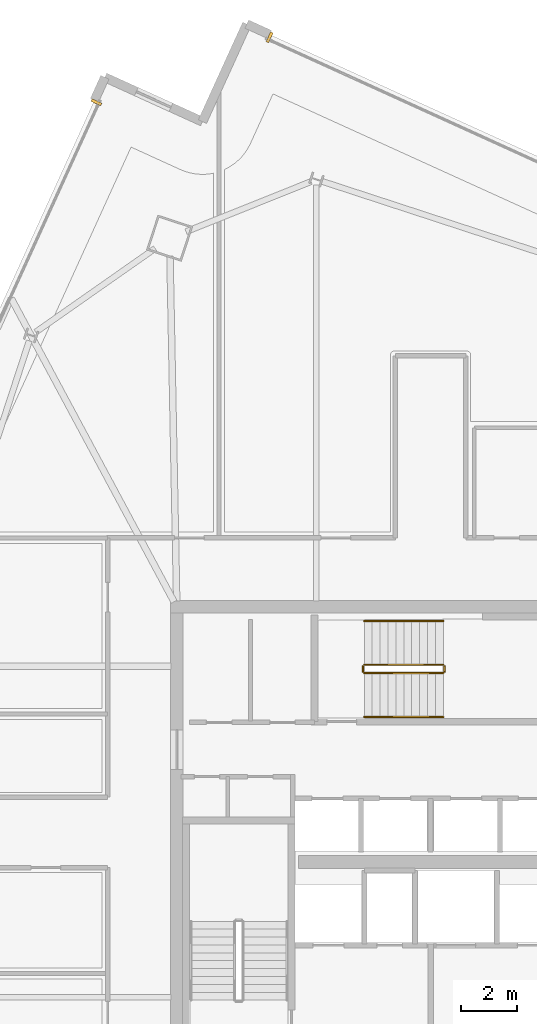
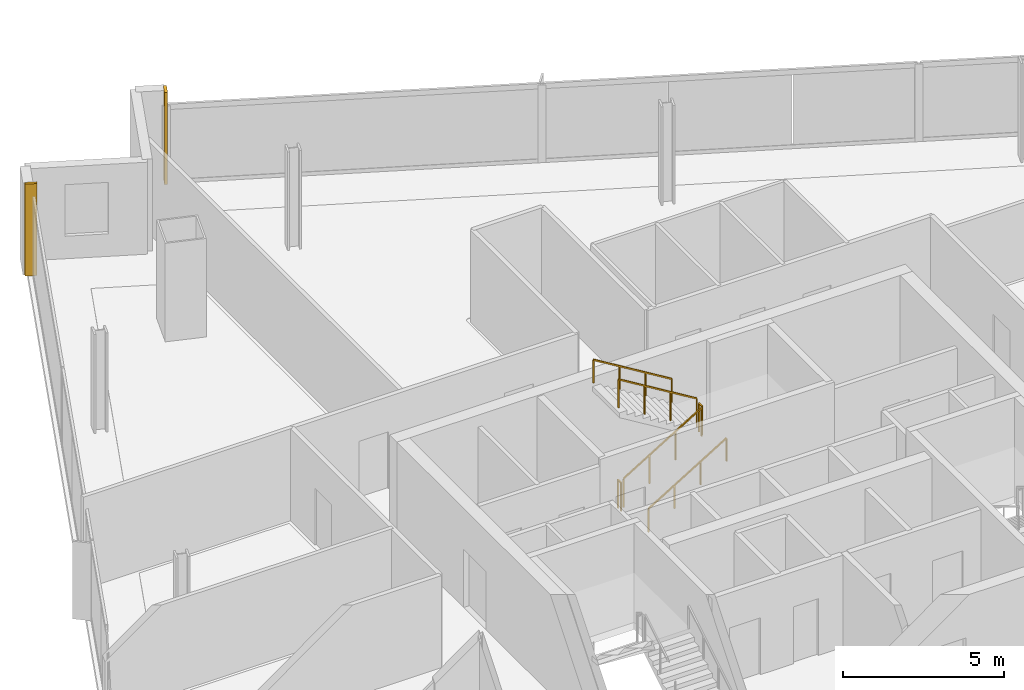
# One storey, part 25 of 26: 6 railings, 2 coverings.
"""IFC4 building model written with IfcOpenShell, lengths in metres."""

from ifc_helpers import new_model, si_unit, direction, frame, origin, origin_2d, place, context, subcontext, project, spatial, rectangle, extrude, source, transform, mapped, material, layer, layer_set, type_object, element, save


model = new_model("IFC4")

# Units and contexts
model_context = context("Model", 3, precision=1e-05, world=origin(), true_north=direction((0.0, 1.0)))
body_context = subcontext(model_context, "Body", "Model", "MODEL_VIEW")
ifc_project = project(units=[si_unit("LENGTHUNIT", "METRE"), si_unit("AREAUNIT", "SQUARE_METRE"), si_unit("VOLUMEUNIT", "CUBIC_METRE"), si_unit("PLANEANGLEUNIT", "RADIAN"), si_unit("MASSUNIT", "GRAM", prefix="KILO")], contexts=[model_context])

# Site, building, storey
site_placement = place(None, origin())
site = spatial("IfcSite", under=ifc_project, at=site_placement, CompositionType="ELEMENT")
building_placement = place(site_placement, origin())
building = spatial("IfcBuilding", under=site, at=building_placement, Name="Haldenkirk Collegiate Tower", CompositionType="ELEMENT")
storey_placement = place(building_placement, frame((0.0, 0.0, 248.699951171875)))
storey = spatial("IfcBuildingStorey", under=building, at=storey_placement, Name="L62", CompositionType="ELEMENT", Elevation=248.699951171875)

# Railings
ifc_material_1 = material(Name="Painted architectural tubular steel", Category="steel")
railing_type_1 = type_object("IfcRailingType", Name="RLG-STAIR-GUARD-1100", PredefinedType="BALUSTRADE", material=ifc_material_1)
railing_1_placement = place(storey_placement, frame((33.64990234375, 31.64990234375, 0.17041015625)))
element("IfcRailing", 1, at=railing_1_placement, inside=storey, type_object=railing_type_1, Name="L62 ST-3 stair guard 1", PredefinedType="BALUSTRADE", context=body_context, shape_type="SweptSolid", body=[
    extrude(rectangle(XDim=0.048095703125, YDim=0.048095703125, at=origin_2d()), frame((0.0, 0.0, 1.076171875), z_axis=(0.854169791009, 0.0, 0.51999420009), x_axis=(0.0, 1.0, 0.0)), (0.0, 0.0, 1.0), 3.278076171875),
    extrude(rectangle(XDim=0.0419921875, YDim=0.0419921875, at=origin_2d()), origin(), (0.0, 0.0, 1.0), 1.052001953125),
    extrude(rectangle(XDim=0.0419921875, YDim=0.0419921875, at=origin_2d()), frame((0.933349609375, 0.0, 0.568115234375)), (0.0, 0.0, 1.0), 1.052001953125),
    extrude(rectangle(XDim=0.0419921875, YDim=0.0419921875, at=origin_2d()), frame((1.86669921875, 0.0, 1.136474609375)), (0.0, 0.0, 1.0), 1.052001953125),
    extrude(rectangle(XDim=0.0419921875, YDim=0.0419921875, at=origin_2d()), frame((2.800048828125, 0.0, 1.70458984375)), (0.0, 0.0, 1.0), 1.052001953125),
])
railing_2_placement = place(storey_placement, frame((36.5, 31.699951171875, 1.875)))
element("IfcRailing", 2, at=railing_2_placement, inside=storey, type_object=railing_type_1, Name="L62 ST-3 stair guard 2", PredefinedType="BALUSTRADE", context=body_context, shape_type="SweptSolid", body=[
    extrude(rectangle(XDim=0.048095703125, YDim=0.048095703125, at=origin_2d()), frame((0.0, 0.0, 1.076171875), z_axis=(0.0, 1.0, 0.0), x_axis=(-1.0, 0.0, 0.0)), (0.0, 0.0, 1.0), 0.199951171875),
    extrude(rectangle(XDim=0.0419921875, YDim=0.0419921875, at=origin_2d()), origin(), (0.0, 0.0, 1.0), 1.052001953125),
    extrude(rectangle(XDim=0.0419921875, YDim=0.0419921875, at=origin_2d()), frame((0.0, 0.199951171875, 0.0)), (0.0, 0.0, 1.0), 1.052001953125),
])
railing_3_placement = place(storey_placement, frame((36.449951171875, 31.949951171875, 2.04541015625)))
element("IfcRailing", 3, at=railing_3_placement, inside=storey, type_object=railing_type_1, Name="L62 ST-3 stair guard 3", PredefinedType="BALUSTRADE", context=body_context, shape_type="SweptSolid", body=[
    extrude(rectangle(XDim=0.048095703125, YDim=0.048095703125, at=origin_2d()), frame((0.0, 0.0, 1.076171875), z_axis=(-0.854169791009, 0.0, 0.51999420009), x_axis=(0.0, -1.0, 0.0)), (0.0, 0.0, 1.0), 3.278076171875),
    extrude(rectangle(XDim=0.0419921875, YDim=0.0419921875, at=origin_2d()), origin(), (0.0, 0.0, 1.0), 1.052001953125),
    extrude(rectangle(XDim=0.0419921875, YDim=0.0419921875, at=origin_2d()), frame((-0.933349609375, 0.0, 0.568115234375)), (0.0, 0.0, 1.0), 1.052001953125),
    extrude(rectangle(XDim=0.0419921875, YDim=0.0419921875, at=origin_2d()), frame((-1.86669921875, 0.0, 1.136474609375)), (0.0, 0.0, 1.0), 1.052001953125),
    extrude(rectangle(XDim=0.0419921875, YDim=0.0419921875, at=origin_2d()), frame((-2.800048828125, 0.0, 1.70458984375)), (0.0, 0.0, 1.0), 1.052001953125),
])
railing_4_placement = place(storey_placement, frame((33.60009765625, 31.699951171875, 0.0)))
element("IfcRailing", 4, at=railing_4_placement, inside=storey, type_object=railing_type_1, Name="L62 ST-3 stair guard 4", PredefinedType="BALUSTRADE", context=body_context, shape_type="SweptSolid", body=[
    extrude(rectangle(XDim=0.048095703125, YDim=0.048095703125, at=origin_2d()), frame((0.0, 0.0, 1.076171875), z_axis=(0.0, 1.0, 0.0), x_axis=(-1.0, 0.0, 0.0)), (0.0, 0.0, 1.0), 0.199951171875),
    extrude(rectangle(XDim=0.0419921875, YDim=0.0419921875, at=origin_2d()), origin(), (0.0, 0.0, 1.0), 1.052001953125),
    extrude(rectangle(XDim=0.0419921875, YDim=0.0419921875, at=origin_2d()), frame((0.0, 0.199951171875, 0.0)), (0.0, 0.0, 1.0), 1.052001953125),
])
railing_type_2 = type_object("IfcRailingType", Name="RLG-STAIR-HANDRAIL-900", PredefinedType="HANDRAIL", material=ifc_material_1)
railing_5_placement = place(storey_placement, frame((33.64990234375, 30.10009765625, 0.17041015625)))
element("IfcRailing", 5, at=railing_5_placement, inside=storey, type_object=railing_type_2, Name="L62 ST-3 stair handrail 1", PredefinedType="HANDRAIL", context=body_context, shape_type="SweptSolid", body=[
    extrude(rectangle(XDim=0.048095703125, YDim=0.048095703125, at=origin_2d()), frame((0.0, 0.0, 0.8759765625), z_axis=(0.854169791009, 0.0, 0.51999420009), x_axis=(0.0, 1.0, 0.0)), (0.0, 0.0, 1.0), 3.278076171875),
    extrude(rectangle(XDim=0.0419921875, YDim=0.0419921875, at=origin_2d()), origin(), (0.0, 0.0, 1.0), 0.851806640625),
    extrude(rectangle(XDim=0.0419921875, YDim=0.0419921875, at=origin_2d()), frame((0.933349609375, 0.0, 0.568115234375)), (0.0, 0.0, 1.0), 0.851806640625),
    extrude(rectangle(XDim=0.0419921875, YDim=0.0419921875, at=origin_2d()), frame((1.86669921875, 0.0, 1.136474609375)), (0.0, 0.0, 1.0), 0.851806640625),
    extrude(rectangle(XDim=0.0419921875, YDim=0.0419921875, at=origin_2d()), frame((2.800048828125, 0.0, 1.70458984375)), (0.0, 0.0, 1.0), 0.851806640625),
])
railing_6_placement = place(storey_placement, frame((36.449951171875, 33.5, 2.04541015625)))
element("IfcRailing", 6, at=railing_6_placement, inside=storey, type_object=railing_type_2, Name="L62 ST-3 stair handrail 2", PredefinedType="HANDRAIL", context=body_context, shape_type="SweptSolid", body=[
    extrude(rectangle(XDim=0.048095703125, YDim=0.048095703125, at=origin_2d()), frame((0.0, 0.0, 0.8759765625), z_axis=(-0.854169791009, 0.0, 0.51999420009), x_axis=(0.0, -1.0, 0.0)), (0.0, 0.0, 1.0), 3.278076171875),
    extrude(rectangle(XDim=0.0419921875, YDim=0.0419921875, at=origin_2d()), origin(), (0.0, 0.0, 1.0), 0.851806640625),
    extrude(rectangle(XDim=0.0419921875, YDim=0.0419921875, at=origin_2d()), frame((-0.933349609375, 0.0, 0.568115234375)), (0.0, 0.0, 1.0), 0.851806640625),
    extrude(rectangle(XDim=0.0419921875, YDim=0.0419921875, at=origin_2d()), frame((-1.86669921875, 0.0, 1.136474609375)), (0.0, 0.0, 1.0), 0.851806640625),
    extrude(rectangle(XDim=0.0419921875, YDim=0.0419921875, at=origin_2d()), frame((-2.800048828125, 0.0, 1.70458984375)), (0.0, 0.0, 1.0), 0.851806640625),
])

# Coverings
ifc_material_2 = material(Name="Anodised architectural bronze aluminium", Category="aluminium")
ifc_layer = layer(ifc_material_2, 0.06005859375)
ifc_layer_set = layer_set([ifc_layer], Name="Anodised architectural bronze aluminium")
covering_type = type_object("IfcCoveringType", Name="COV-CLAD-BRONZE-60", PredefinedType="CLADDING", material=ifc_layer_set)
shared_shape = source(origin(), body_context, "Body", "SweptSolid", [
    extrude(rectangle(XDim=0.10009765625, YDim=0.3798828125, at=origin_2d()), origin(), (0.0, 0.0, 1.0), 3.47998046875),
])
for number, where, z_axis, x_axis, name in (
    (7, (30.291015625, 54.2021484375, 0.0), (0.0, 0.0, 1.0), (0.910322812467, -0.413898993841, 0.0), "L62 recessed curtain-wall bronze jamb closure EJL"),
    (8, (24.146484375, 51.898681640625, 0.0), (0.0, 0.0, 1.0), (0.413898993841, 0.910322812467, 0.0), "L62 recessed curtain-wall bronze jamb closure NJR"),
):
    element("IfcCovering", number, at=place(storey_placement, frame(where, z_axis=z_axis, x_axis=x_axis)), inside=storey, type_object=covering_type, Name=name, PredefinedType="CLADDING", context=body_context, shape_type="MappedRepresentation", body=[
        mapped(shared_shape, transform((0.0, 0.0, 0.0), x_axis=(1.0, 0.0, 0.0), y_axis=(0.0, 1.0, 0.0), z_axis=(0.0, 0.0, 1.0), scale=1.0)),
    ])

save(model, "model.ifc")
